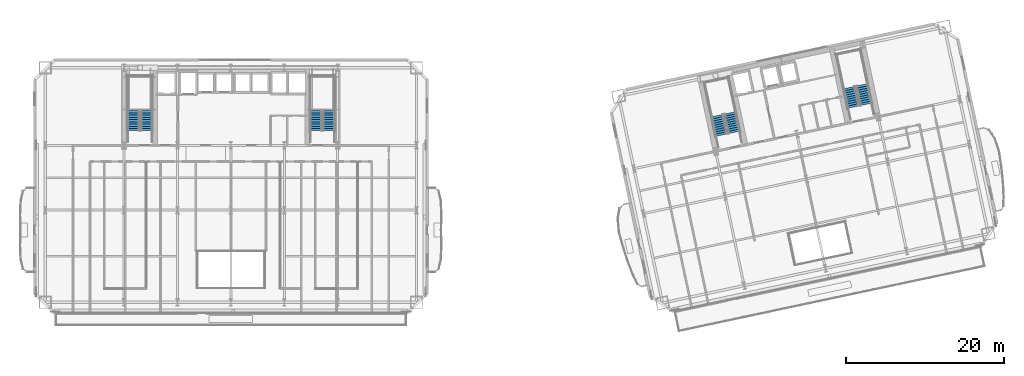
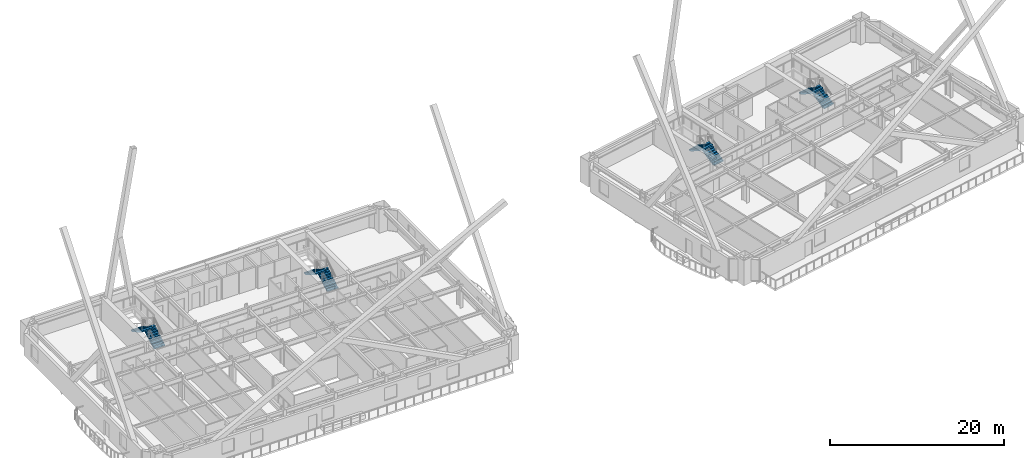
# One storey, part 15 of 22: 8 stair flights, 4 elements without a shape of their own.
"""IFC4 building model written with IfcOpenShell, lengths in metres."""

from ifc_helpers import new_model, si_unit, direction, frame, origin, place, context, subcontext, project, spatial, polyline, outline, extrude, material, type_object, element, aggregate, save


model = new_model("IFC4")

# Units and contexts
model_context = context("Model", 3, precision=1e-05, world=origin(), true_north=direction((0.0, 1.0)))
body_context = subcontext(model_context, "Body", "Model", "MODEL_VIEW")
ifc_project = project(units=[si_unit("LENGTHUNIT", "METRE"), si_unit("AREAUNIT", "SQUARE_METRE"), si_unit("VOLUMEUNIT", "CUBIC_METRE"), si_unit("PLANEANGLEUNIT", "RADIAN"), si_unit("MASSUNIT", "GRAM", prefix="KILO")], contexts=[model_context])

# Site, building, storey
site_placement = place(None, origin())
site = spatial("IfcSite", under=ifc_project, at=site_placement, CompositionType="ELEMENT")
building_placement = place(site_placement, origin())
building = spatial("IfcBuilding", under=site, at=building_placement, Name="Haevon Station Towers", CompositionType="ELEMENT")
storey_placement = place(building_placement, frame((0.0, 0.0, 70.199951171875)))
storey = spatial("IfcBuildingStorey", under=building, at=storey_placement, Name="L18", CompositionType="ELEMENT", Elevation=70.199951171875)

# Stair, stair flights
ifc_material = material(Name="Concrete C40/50", Category="concrete")
stair_type = type_object("IfcStairType", Name="STR-DL1450", PredefinedType="USERDEFINED", material=ifc_material)
stair_1_placement = place(storey_placement, origin())
stair_1 = element("IfcStair", 1, at=stair_1_placement, inside=storey, type_object=stair_type, Name="L18 Escape Stair ST1", ObjectType="TWO_RETURN_STAIR", PredefinedType="USERDEFINED")
stair_flight_type = type_object("IfcStairFlightType", Name="STF-ST1450", PredefinedType="STRAIGHT", material=ifc_material)
stair_flight_1_placement = place(storey_placement, frame((26.85498046875, 40.050048828125, 0.0), z_axis=(0.0, 0.0, 1.0), x_axis=(0.0, 1.0, 0.0)))
stair_flight_1 = element("IfcStairFlight", 2, at=stair_flight_1_placement, type_object=stair_flight_type, Name="L18 ST1 Flight 1", NumberOfRisers=10, NumberOfTreads=9, PredefinedType="STRAIGHT", RiserHeight=0.165, TreadLength=0.28, context=body_context, shape_type="SweptSolid", body=[
    extrude(outline(polyline([(0.0, 0.0), (0.0, 0.1650390625), (0.280029296875, 0.1650390625), (0.280029296875, 0.330078125), (0.56005859375, 0.330078125), (0.56005859375, 0.4951171875), (0.840087890625, 0.4951171875), (0.840087890625, 0.659912109375), (1.1201171875, 0.659912109375), (1.1201171875, 0.824951171875), (1.39990234375, 0.824951171875), (1.39990234375, 0.989990234375), (1.679931640625, 0.989990234375), (1.679931640625, 1.155029296875), (1.9599609375, 1.155029296875), (1.9599609375, 1.320068359375), (2.239990234375, 1.320068359375), (2.239990234375, 1.485107421875), (2.52001953125, 1.485107421875), (2.52001953125, 1.64990234375), (2.52001953125, 1.29931640625), (0.31494140625, 0.0), (0.0, 0.0)])), frame((0.0, 0.72509765625, 0.0), z_axis=(0.0, -1.0, 0.0), x_axis=(1.0, 0.0, 0.0)), (0.0, 0.0, 1.0), 1.449951171875),
])
stair_flight_2_placement = place(storey_placement, frame((25.205078125, 42.570068359375, 1.650146484375), z_axis=(0.0, 0.0, 1.0), x_axis=(0.0, -1.0, 0.0)))
stair_flight_2 = element("IfcStairFlight", 3, at=stair_flight_2_placement, type_object=stair_flight_type, Name="L18 ST1 Flight 2", NumberOfRisers=10, NumberOfTreads=9, PredefinedType="STRAIGHT", RiserHeight=0.165, TreadLength=0.28, context=body_context, shape_type="SweptSolid", body=[
    extrude(outline(polyline([(0.0, 0.0), (0.0, 0.1650390625), (0.280029296875, 0.1650390625), (0.280029296875, 0.330078125), (0.56005859375, 0.330078125), (0.56005859375, 0.4951171875), (0.840087890625, 0.4951171875), (0.840087890625, 0.659912109375), (1.1201171875, 0.659912109375), (1.1201171875, 0.824951171875), (1.39990234375, 0.824951171875), (1.39990234375, 0.989990234375), (1.679931640625, 0.989990234375), (1.679931640625, 1.155029296875), (1.9599609375, 1.155029296875), (1.9599609375, 1.320068359375), (2.239990234375, 1.320068359375), (2.239990234375, 1.485107421875), (2.52001953125, 1.485107421875), (2.52001953125, 1.64990234375), (2.52001953125, 1.29931640625), (0.31494140625, 0.0), (0.0, 0.0)])), frame((0.0, 0.72509765625, 0.0), z_axis=(0.0, -1.0, 0.0), x_axis=(1.0, 0.0, 0.0)), (0.0, 0.0, 1.0), 1.449951171875),
])
aggregate(stair_1, [stair_flight_1, stair_flight_2])

stair_2_placement = place(storey_placement, origin())
stair_2 = element("IfcStair", 4, at=stair_2_placement, inside=storey, type_object=stair_type, Name="L18 Escape Stair ST2", ObjectType="TWO_RETURN_STAIR", PredefinedType="USERDEFINED")
stair_flight_3_placement = place(storey_placement, frame((49.89501953125, 40.050048828125, 0.0), z_axis=(0.0, 0.0, 1.0), x_axis=(0.0, 1.0, 0.0)))
stair_flight_3 = element("IfcStairFlight", 5, at=stair_flight_3_placement, type_object=stair_flight_type, Name="L18 ST2 Flight 1", NumberOfRisers=10, NumberOfTreads=9, PredefinedType="STRAIGHT", RiserHeight=0.165, TreadLength=0.28, context=body_context, shape_type="SweptSolid", body=[
    extrude(outline(polyline([(0.0, 0.0), (0.0, 0.1650390625), (0.280029296875, 0.1650390625), (0.280029296875, 0.330078125), (0.56005859375, 0.330078125), (0.56005859375, 0.4951171875), (0.840087890625, 0.4951171875), (0.840087890625, 0.659912109375), (1.1201171875, 0.659912109375), (1.1201171875, 0.824951171875), (1.39990234375, 0.824951171875), (1.39990234375, 0.989990234375), (1.679931640625, 0.989990234375), (1.679931640625, 1.155029296875), (1.9599609375, 1.155029296875), (1.9599609375, 1.320068359375), (2.239990234375, 1.320068359375), (2.239990234375, 1.485107421875), (2.52001953125, 1.485107421875), (2.52001953125, 1.64990234375), (2.52001953125, 1.29931640625), (0.31494140625, 0.0), (0.0, 0.0)])), frame((0.0, 0.72509765625, 0.0), z_axis=(0.0, -1.0, 0.0), x_axis=(1.0, 0.0, 0.0)), (0.0, 0.0, 1.0), 1.449951171875),
])
stair_flight_4_placement = place(storey_placement, frame((48.2451171875, 42.570068359375, 1.650146484375), z_axis=(0.0, 0.0, 1.0), x_axis=(0.0, -1.0, 0.0)))
stair_flight_4 = element("IfcStairFlight", 6, at=stair_flight_4_placement, type_object=stair_flight_type, Name="L18 ST2 Flight 2", NumberOfRisers=10, NumberOfTreads=9, PredefinedType="STRAIGHT", RiserHeight=0.165, TreadLength=0.28, context=body_context, shape_type="SweptSolid", body=[
    extrude(outline(polyline([(0.0, 0.0), (0.0, 0.1650390625), (0.280029296875, 0.1650390625), (0.280029296875, 0.330078125), (0.56005859375, 0.330078125), (0.56005859375, 0.4951171875), (0.840087890625, 0.4951171875), (0.840087890625, 0.659912109375), (1.1201171875, 0.659912109375), (1.1201171875, 0.824951171875), (1.39990234375, 0.824951171875), (1.39990234375, 0.989990234375), (1.679931640625, 0.989990234375), (1.679931640625, 1.155029296875), (1.9599609375, 1.155029296875), (1.9599609375, 1.320068359375), (2.239990234375, 1.320068359375), (2.239990234375, 1.485107421875), (2.52001953125, 1.485107421875), (2.52001953125, 1.64990234375), (2.52001953125, 1.29931640625), (0.31494140625, 0.0), (0.0, 0.0)])), frame((0.0, 0.72509765625, 0.0), z_axis=(0.0, -1.0, 0.0), x_axis=(1.0, 0.0, 0.0)), (0.0, 0.0, 1.0), 1.449951171875),
])
aggregate(stair_2, [stair_flight_3, stair_flight_4])

stair_3_placement = place(storey_placement, origin())
stair_3 = element("IfcStair", 7, at=stair_3_placement, inside=storey, type_object=stair_type, Name="L18 Escape Stair ST3", ObjectType="TWO_RETURN_STAIR", PredefinedType="USERDEFINED")
stair_flight_5_placement = place(storey_placement, frame((101.1015625, 39.8330078125, 0.0), z_axis=(0.0, 0.0, 1.0), x_axis=(-0.207911690818, 0.978147600734, 0.0)))
stair_flight_5 = element("IfcStairFlight", 8, at=stair_flight_5_placement, type_object=stair_flight_type, Name="L18 ST3 Flight 1", NumberOfRisers=10, NumberOfTreads=9, PredefinedType="STRAIGHT", RiserHeight=0.165, TreadLength=0.28, context=body_context, shape_type="SweptSolid", body=[
    extrude(outline(polyline([(0.0, 0.0), (0.0, 0.1650390625), (0.280029296875, 0.1650390625), (0.280029296875, 0.330078125), (0.56005859375, 0.330078125), (0.56005859375, 0.4951171875), (0.840087890625, 0.4951171875), (0.840087890625, 0.659912109375), (1.1201171875, 0.659912109375), (1.1201171875, 0.824951171875), (1.39990234375, 0.824951171875), (1.39990234375, 0.989990234375), (1.679931640625, 0.989990234375), (1.679931640625, 1.155029296875), (1.9599609375, 1.155029296875), (1.9599609375, 1.320068359375), (2.239990234375, 1.320068359375), (2.239990234375, 1.485107421875), (2.52001953125, 1.485107421875), (2.52001953125, 1.64990234375), (2.52001953125, 1.29931640625), (0.31494140625, 0.0), (0.0, 0.0)])), frame((0.0, 0.72509765625, 0.0), z_axis=(0.0, -1.0, 0.0), x_axis=(1.0, 0.0, 0.0)), (0.0, 0.0, 1.0), 1.449951171875),
])
stair_flight_6_placement = place(storey_placement, frame((98.9638671875, 41.955078125, 1.650146484375), z_axis=(0.0, 0.0, 1.0), x_axis=(0.207911690818, -0.978147600734, 0.0)))
stair_flight_6 = element("IfcStairFlight", 9, at=stair_flight_6_placement, type_object=stair_flight_type, Name="L18 ST3 Flight 2", NumberOfRisers=10, NumberOfTreads=9, PredefinedType="STRAIGHT", RiserHeight=0.165, TreadLength=0.28, context=body_context, shape_type="SweptSolid", body=[
    extrude(outline(polyline([(0.0, 0.0), (0.0, 0.1650390625), (0.280029296875, 0.1650390625), (0.280029296875, 0.330078125), (0.56005859375, 0.330078125), (0.56005859375, 0.4951171875), (0.840087890625, 0.4951171875), (0.840087890625, 0.659912109375), (1.1201171875, 0.659912109375), (1.1201171875, 0.824951171875), (1.39990234375, 0.824951171875), (1.39990234375, 0.989990234375), (1.679931640625, 0.989990234375), (1.679931640625, 1.155029296875), (1.9599609375, 1.155029296875), (1.9599609375, 1.320068359375), (2.239990234375, 1.320068359375), (2.239990234375, 1.485107421875), (2.52001953125, 1.485107421875), (2.52001953125, 1.64990234375), (2.52001953125, 1.29931640625), (0.31494140625, 0.0), (0.0, 0.0)])), frame((0.0, 0.72509765625, 0.0), z_axis=(0.0, -1.0, 0.0), x_axis=(1.0, 0.0, 0.0)), (0.0, 0.0, 1.0), 1.449951171875),
])
aggregate(stair_3, [stair_flight_5, stair_flight_6])

stair_4_placement = place(storey_placement, origin())
stair_4 = element("IfcStair", 10, at=stair_4_placement, inside=storey, type_object=stair_type, Name="L18 Escape Stair ST4", ObjectType="TWO_RETURN_STAIR", PredefinedType="USERDEFINED")
stair_flight_7_placement = place(storey_placement, frame((117.788818359375, 43.380126953125, 0.0), z_axis=(0.0, 0.0, 1.0), x_axis=(-0.207911690818, 0.978147600734, 0.0)))
stair_flight_7 = element("IfcStairFlight", 11, at=stair_flight_7_placement, type_object=stair_flight_type, Name="L18 ST4 Flight 1", NumberOfRisers=10, NumberOfTreads=9, PredefinedType="STRAIGHT", RiserHeight=0.165, TreadLength=0.28, context=body_context, shape_type="SweptSolid", body=[
    extrude(outline(polyline([(0.0, 0.0), (0.0, 0.1650390625), (0.280029296875, 0.1650390625), (0.280029296875, 0.330078125), (0.56005859375, 0.330078125), (0.56005859375, 0.4951171875), (0.840087890625, 0.4951171875), (0.840087890625, 0.659912109375), (1.1201171875, 0.659912109375), (1.1201171875, 0.824951171875), (1.39990234375, 0.824951171875), (1.39990234375, 0.989990234375), (1.679931640625, 0.989990234375), (1.679931640625, 1.155029296875), (1.9599609375, 1.155029296875), (1.9599609375, 1.320068359375), (2.239990234375, 1.320068359375), (2.239990234375, 1.485107421875), (2.52001953125, 1.485107421875), (2.52001953125, 1.64990234375), (2.52001953125, 1.29931640625), (0.31494140625, 0.0), (0.0, 0.0)])), frame((0.0, 0.72509765625, 0.0), z_axis=(0.0, -1.0, 0.0), x_axis=(1.0, 0.0, 0.0)), (0.0, 0.0, 1.0), 1.449951171875),
])
stair_flight_8_placement = place(storey_placement, frame((115.65087890625, 45.501953125, 1.650146484375), z_axis=(0.0, 0.0, 1.0), x_axis=(0.207911690818, -0.978147600734, 0.0)))
stair_flight_8 = element("IfcStairFlight", 12, at=stair_flight_8_placement, type_object=stair_flight_type, Name="L18 ST4 Flight 2", NumberOfRisers=10, NumberOfTreads=9, PredefinedType="STRAIGHT", RiserHeight=0.165, TreadLength=0.28, context=body_context, shape_type="SweptSolid", body=[
    extrude(outline(polyline([(0.0, 0.0), (0.0, 0.1650390625), (0.280029296875, 0.1650390625), (0.280029296875, 0.330078125), (0.56005859375, 0.330078125), (0.56005859375, 0.4951171875), (0.840087890625, 0.4951171875), (0.840087890625, 0.659912109375), (1.1201171875, 0.659912109375), (1.1201171875, 0.824951171875), (1.39990234375, 0.824951171875), (1.39990234375, 0.989990234375), (1.679931640625, 0.989990234375), (1.679931640625, 1.155029296875), (1.9599609375, 1.155029296875), (1.9599609375, 1.320068359375), (2.239990234375, 1.320068359375), (2.239990234375, 1.485107421875), (2.52001953125, 1.485107421875), (2.52001953125, 1.64990234375), (2.52001953125, 1.29931640625), (0.31494140625, 0.0), (0.0, 0.0)])), frame((0.0, 0.72509765625, 0.0), z_axis=(0.0, -1.0, 0.0), x_axis=(1.0, 0.0, 0.0)), (0.0, 0.0, 1.0), 1.449951171875),
])
aggregate(stair_4, [stair_flight_7, stair_flight_8])

save(model, "model.ifc")
